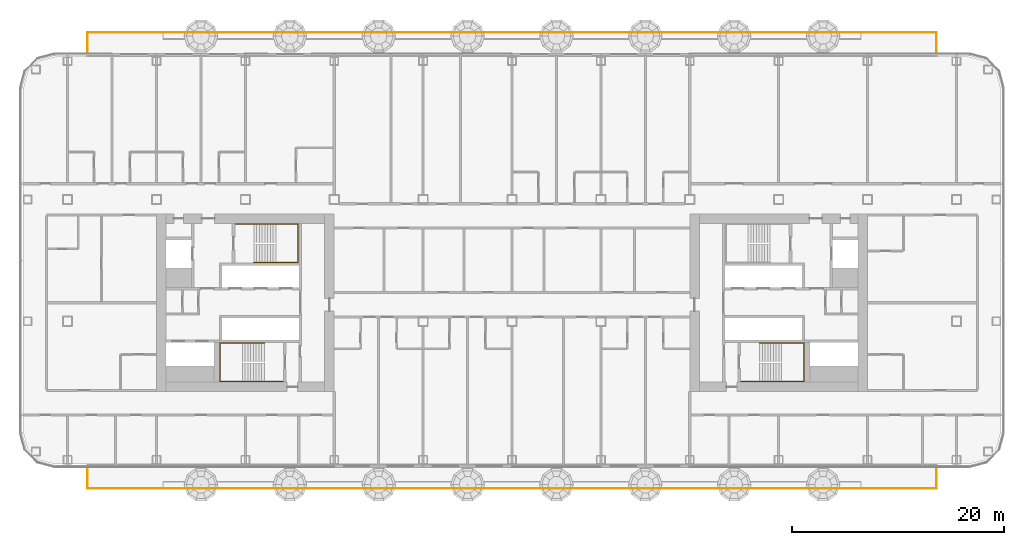
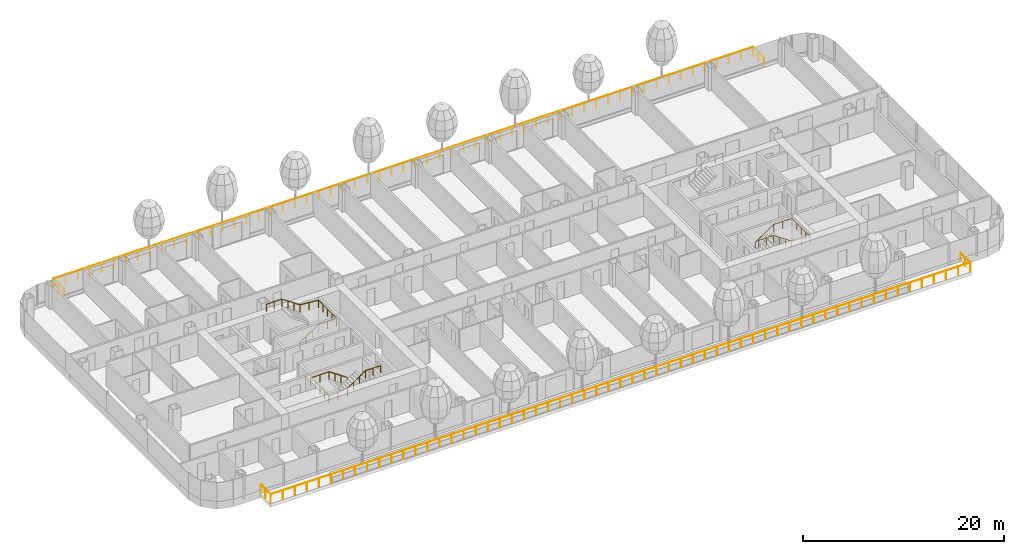
# One storey, part 28 of 34: 5 railings.
"""IFC4 building model written with IfcOpenShell, lengths in metres."""

from ifc_helpers import new_model, si_unit, direction, frame, origin, origin_2d, place, context, subcontext, project, spatial, circle, extrude, material, type_object, element, save


model = new_model("IFC4")

# Units and contexts
model_context = context("Model", 3, precision=1e-05, world=origin(), true_north=direction((0.0, 1.0)))
body_context = subcontext(model_context, "Body", "Model", "MODEL_VIEW")
ifc_project = project(units=[si_unit("LENGTHUNIT", "METRE"), si_unit("AREAUNIT", "SQUARE_METRE"), si_unit("VOLUMEUNIT", "CUBIC_METRE"), si_unit("PLANEANGLEUNIT", "RADIAN"), si_unit("MASSUNIT", "GRAM", prefix="KILO")], contexts=[model_context])

# Site, building, storey
site_placement = place(None, origin())
site = spatial("IfcSite", under=ifc_project, at=site_placement, CompositionType="ELEMENT")
building_placement = place(site_placement, origin())
building = spatial("IfcBuilding", under=site, at=building_placement, Name="Hakoniwa Tower and Hamabe Station Hall", CompositionType="ELEMENT")
storey_placement = place(building_placement, frame((0.0, 0.0, 94.60009765625)))
storey = spatial("IfcBuildingStorey", under=building, at=storey_placement, Name="L26", CompositionType="ELEMENT", Elevation=94.60009765625)

# Railings
ifc_material_1 = material(Name="Stainless steel and laminated glass", Category="steel")
railing_type_1 = type_object("IfcRailingType", Name="BALCONY BALUSTRADE 1100", PredefinedType="BALUSTRADE", material=ifc_material_1)
railing_1_placement = place(storey_placement, frame((-40.10009765625, 23.550048828125, 0.0)))
element("IfcRailing", 1, at=railing_1_placement, inside=storey, type_object=railing_type_1, Name="Balcony balustrade", PredefinedType="BALUSTRADE", context=body_context, shape_type="SweptSolid", body=[
    extrude(circle(Radius=0.02392578125, at=origin_2d()), frame((0.0, 0.0, 1.076171875), z_axis=(0.0, 1.0, 0.0), x_axis=(-1.0, 0.0, 0.0)), (0.0, 0.0, 1.0), 2.0),
    extrude(circle(Radius=0.02392578125, at=origin_2d()), frame((0.0, 2.0, 1.076171875), z_axis=(1.0, 0.0, 0.0), x_axis=(0.0, 1.0, 0.0)), (0.0, 0.0, 1.0), 80.2001953125),
    extrude(circle(Radius=0.02392578125, at=origin_2d()), frame((80.2001953125, 2.0, 1.076171875), z_axis=(0.0, -1.0, 0.0), x_axis=(1.0, 0.0, 0.0)), (0.0, 0.0, 1.0), 2.0),
    extrude(circle(Radius=0.02099609375, at=origin_2d()), origin(), (0.0, 0.0, 1.0), 1.052001953125),
    extrude(circle(Radius=0.02099609375, at=origin_2d()), frame((0.0, 1.0, 0.0)), (0.0, 0.0, 1.0), 1.052001953125),
    extrude(circle(Radius=0.02099609375, at=origin_2d()), frame((0.0, 2.0, 0.0)), (0.0, 0.0, 1.0), 1.052001953125),
    extrude(circle(Radius=0.02099609375, at=origin_2d()), frame((1.3828125, 2.0, 0.0)), (0.0, 0.0, 1.0), 1.052001953125),
    extrude(circle(Radius=0.02099609375, at=origin_2d()), frame((2.765625, 2.0, 0.0)), (0.0, 0.0, 1.0), 1.052001953125),
    extrude(circle(Radius=0.02099609375, at=origin_2d()), frame((4.148193359375, 2.0, 0.0)), (0.0, 0.0, 1.0), 1.052001953125),
    extrude(circle(Radius=0.02099609375, at=origin_2d()), frame((5.531005859375, 2.0, 0.0)), (0.0, 0.0, 1.0), 1.052001953125),
    extrude(circle(Radius=0.02099609375, at=origin_2d()), frame((6.913818359375, 2.0, 0.0)), (0.0, 0.0, 1.0), 1.052001953125),
    extrude(circle(Radius=0.02099609375, at=origin_2d()), frame((8.296630859375, 2.0, 0.0)), (0.0, 0.0, 1.0), 1.052001953125),
    extrude(circle(Radius=0.02099609375, at=origin_2d()), frame((9.679443359375, 2.0, 0.0)), (0.0, 0.0, 1.0), 1.052001953125),
    extrude(circle(Radius=0.02099609375, at=origin_2d()), frame((11.06201171875, 2.0, 0.0)), (0.0, 0.0, 1.0), 1.052001953125),
    extrude(circle(Radius=0.02099609375, at=origin_2d()), frame((12.44482421875, 2.0, 0.0)), (0.0, 0.0, 1.0), 1.052001953125),
    extrude(circle(Radius=0.02099609375, at=origin_2d()), frame((13.82763671875, 2.0, 0.0)), (0.0, 0.0, 1.0), 1.052001953125),
    extrude(circle(Radius=0.02099609375, at=origin_2d()), frame((15.21044921875, 2.0, 0.0)), (0.0, 0.0, 1.0), 1.052001953125),
    extrude(circle(Radius=0.02099609375, at=origin_2d()), frame((16.59326171875, 2.0, 0.0)), (0.0, 0.0, 1.0), 1.052001953125),
    extrude(circle(Radius=0.02099609375, at=origin_2d()), frame((17.975830078125, 2.0, 0.0)), (0.0, 0.0, 1.0), 1.052001953125),
    extrude(circle(Radius=0.02099609375, at=origin_2d()), frame((19.358642578125, 2.0, 0.0)), (0.0, 0.0, 1.0), 1.052001953125),
    extrude(circle(Radius=0.02099609375, at=origin_2d()), frame((20.741455078125, 2.0, 0.0)), (0.0, 0.0, 1.0), 1.052001953125),
    extrude(circle(Radius=0.02099609375, at=origin_2d()), frame((22.124267578125, 2.0, 0.0)), (0.0, 0.0, 1.0), 1.052001953125),
    extrude(circle(Radius=0.02099609375, at=origin_2d()), frame((23.5068359375, 2.0, 0.0)), (0.0, 0.0, 1.0), 1.052001953125),
    extrude(circle(Radius=0.02099609375, at=origin_2d()), frame((24.8896484375, 2.0, 0.0)), (0.0, 0.0, 1.0), 1.052001953125),
    extrude(circle(Radius=0.02099609375, at=origin_2d()), frame((26.2724609375, 2.0, 0.0)), (0.0, 0.0, 1.0), 1.052001953125),
    extrude(circle(Radius=0.02099609375, at=origin_2d()), frame((27.6552734375, 2.0, 0.0)), (0.0, 0.0, 1.0), 1.052001953125),
    extrude(circle(Radius=0.02099609375, at=origin_2d()), frame((29.0380859375, 2.0, 0.0)), (0.0, 0.0, 1.0), 1.052001953125),
    extrude(circle(Radius=0.02099609375, at=origin_2d()), frame((30.420654296875, 2.0, 0.0)), (0.0, 0.0, 1.0), 1.052001953125),
    extrude(circle(Radius=0.02099609375, at=origin_2d()), frame((31.803466796875, 2.0, 0.0)), (0.0, 0.0, 1.0), 1.052001953125),
    extrude(circle(Radius=0.02099609375, at=origin_2d()), frame((33.186279296875, 2.0, 0.0)), (0.0, 0.0, 1.0), 1.052001953125),
    extrude(circle(Radius=0.02099609375, at=origin_2d()), frame((34.569091796875, 2.0, 0.0)), (0.0, 0.0, 1.0), 1.052001953125),
    extrude(circle(Radius=0.02099609375, at=origin_2d()), frame((35.951904296875, 2.0, 0.0)), (0.0, 0.0, 1.0), 1.052001953125),
    extrude(circle(Radius=0.02099609375, at=origin_2d()), frame((37.33447265625, 2.0, 0.0)), (0.0, 0.0, 1.0), 1.052001953125),
    extrude(circle(Radius=0.02099609375, at=origin_2d()), frame((38.71728515625, 2.0, 0.0)), (0.0, 0.0, 1.0), 1.052001953125),
    extrude(circle(Radius=0.02099609375, at=origin_2d()), frame((40.10009765625, 2.0, 0.0)), (0.0, 0.0, 1.0), 1.052001953125),
    extrude(circle(Radius=0.02099609375, at=origin_2d()), frame((41.48291015625, 2.0, 0.0)), (0.0, 0.0, 1.0), 1.052001953125),
    extrude(circle(Radius=0.02099609375, at=origin_2d()), frame((42.86572265625, 2.0, 0.0)), (0.0, 0.0, 1.0), 1.052001953125),
    extrude(circle(Radius=0.02099609375, at=origin_2d()), frame((44.248291015625, 2.0, 0.0)), (0.0, 0.0, 1.0), 1.052001953125),
    extrude(circle(Radius=0.02099609375, at=origin_2d()), frame((45.631103515625, 2.0, 0.0)), (0.0, 0.0, 1.0), 1.052001953125),
    extrude(circle(Radius=0.02099609375, at=origin_2d()), frame((47.013916015625, 2.0, 0.0)), (0.0, 0.0, 1.0), 1.052001953125),
    extrude(circle(Radius=0.02099609375, at=origin_2d()), frame((48.396728515625, 2.0, 0.0)), (0.0, 0.0, 1.0), 1.052001953125),
    extrude(circle(Radius=0.02099609375, at=origin_2d()), frame((49.779541015625, 2.0, 0.0)), (0.0, 0.0, 1.0), 1.052001953125),
    extrude(circle(Radius=0.02099609375, at=origin_2d()), frame((51.162109375, 2.0, 0.0)), (0.0, 0.0, 1.0), 1.052001953125),
    extrude(circle(Radius=0.02099609375, at=origin_2d()), frame((52.544921875, 2.0, 0.0)), (0.0, 0.0, 1.0), 1.052001953125),
    extrude(circle(Radius=0.02099609375, at=origin_2d()), frame((53.927734375, 2.0, 0.0)), (0.0, 0.0, 1.0), 1.052001953125),
    extrude(circle(Radius=0.02099609375, at=origin_2d()), frame((55.310546875, 2.0, 0.0)), (0.0, 0.0, 1.0), 1.052001953125),
    extrude(circle(Radius=0.02099609375, at=origin_2d()), frame((56.693359375, 2.0, 0.0)), (0.0, 0.0, 1.0), 1.052001953125),
    extrude(circle(Radius=0.02099609375, at=origin_2d()), frame((58.075927734375, 2.0, 0.0)), (0.0, 0.0, 1.0), 1.052001953125),
    extrude(circle(Radius=0.02099609375, at=origin_2d()), frame((59.458740234375, 2.0, 0.0)), (0.0, 0.0, 1.0), 1.052001953125),
    extrude(circle(Radius=0.02099609375, at=origin_2d()), frame((60.841552734375, 2.0, 0.0)), (0.0, 0.0, 1.0), 1.052001953125),
    extrude(circle(Radius=0.02099609375, at=origin_2d()), frame((62.224365234375, 2.0, 0.0)), (0.0, 0.0, 1.0), 1.052001953125),
    extrude(circle(Radius=0.02099609375, at=origin_2d()), frame((63.60693359375, 2.0, 0.0)), (0.0, 0.0, 1.0), 1.052001953125),
    extrude(circle(Radius=0.02099609375, at=origin_2d()), frame((64.98974609375, 2.0, 0.0)), (0.0, 0.0, 1.0), 1.052001953125),
    extrude(circle(Radius=0.02099609375, at=origin_2d()), frame((66.37255859375, 2.0, 0.0)), (0.0, 0.0, 1.0), 1.052001953125),
    extrude(circle(Radius=0.02099609375, at=origin_2d()), frame((67.75537109375, 2.0, 0.0)), (0.0, 0.0, 1.0), 1.052001953125),
    extrude(circle(Radius=0.02099609375, at=origin_2d()), frame((69.13818359375, 2.0, 0.0)), (0.0, 0.0, 1.0), 1.052001953125),
    extrude(circle(Radius=0.02099609375, at=origin_2d()), frame((70.520751953125, 2.0, 0.0)), (0.0, 0.0, 1.0), 1.052001953125),
    extrude(circle(Radius=0.02099609375, at=origin_2d()), frame((71.903564453125, 2.0, 0.0)), (0.0, 0.0, 1.0), 1.052001953125),
    extrude(circle(Radius=0.02099609375, at=origin_2d()), frame((73.286376953125, 2.0, 0.0)), (0.0, 0.0, 1.0), 1.052001953125),
    extrude(circle(Radius=0.02099609375, at=origin_2d()), frame((74.669189453125, 2.0, 0.0)), (0.0, 0.0, 1.0), 1.052001953125),
    extrude(circle(Radius=0.02099609375, at=origin_2d()), frame((76.052001953125, 2.0, 0.0)), (0.0, 0.0, 1.0), 1.052001953125),
    extrude(circle(Radius=0.02099609375, at=origin_2d()), frame((77.4345703125, 2.0, 0.0)), (0.0, 0.0, 1.0), 1.052001953125),
    extrude(circle(Radius=0.02099609375, at=origin_2d()), frame((78.8173828125, 2.0, 0.0)), (0.0, 0.0, 1.0), 1.052001953125),
    extrude(circle(Radius=0.02099609375, at=origin_2d()), frame((80.2001953125, 2.0, 0.0)), (0.0, 0.0, 1.0), 1.052001953125),
    extrude(circle(Radius=0.02099609375, at=origin_2d()), frame((80.2001953125, 1.0, 0.0)), (0.0, 0.0, 1.0), 1.052001953125),
    extrude(circle(Radius=0.02099609375, at=origin_2d()), frame((80.2001953125, 0.0, 0.0)), (0.0, 0.0, 1.0), 1.052001953125),
])
railing_2_placement = place(storey_placement, frame((-40.10009765625, -15.550048828125, 0.0)))
element("IfcRailing", 2, at=railing_2_placement, inside=storey, type_object=railing_type_1, Name="Balcony balustrade", PredefinedType="BALUSTRADE", context=body_context, shape_type="SweptSolid", body=[
    extrude(circle(Radius=0.02392578125, at=origin_2d()), frame((0.0, 0.0, 1.076171875), z_axis=(0.0, -1.0, 0.0), x_axis=(1.0, 0.0, 0.0)), (0.0, 0.0, 1.0), 2.0),
    extrude(circle(Radius=0.02392578125, at=origin_2d()), frame((0.0, -2.0, 1.076171875), z_axis=(1.0, 0.0, 0.0), x_axis=(0.0, 1.0, 0.0)), (0.0, 0.0, 1.0), 80.2001953125),
    extrude(circle(Radius=0.02392578125, at=origin_2d()), frame((80.2001953125, -2.0, 1.076171875), z_axis=(0.0, 1.0, 0.0), x_axis=(-1.0, 0.0, 0.0)), (0.0, 0.0, 1.0), 2.0),
    extrude(circle(Radius=0.02099609375, at=origin_2d()), origin(), (0.0, 0.0, 1.0), 1.052001953125),
    extrude(circle(Radius=0.02099609375, at=origin_2d()), frame((0.0, -1.0, 0.0)), (0.0, 0.0, 1.0), 1.052001953125),
    extrude(circle(Radius=0.02099609375, at=origin_2d()), frame((0.0, -2.0, 0.0)), (0.0, 0.0, 1.0), 1.052001953125),
    extrude(circle(Radius=0.02099609375, at=origin_2d()), frame((1.3828125, -2.0, 0.0)), (0.0, 0.0, 1.0), 1.052001953125),
    extrude(circle(Radius=0.02099609375, at=origin_2d()), frame((2.765625, -2.0, 0.0)), (0.0, 0.0, 1.0), 1.052001953125),
    extrude(circle(Radius=0.02099609375, at=origin_2d()), frame((4.148193359375, -2.0, 0.0)), (0.0, 0.0, 1.0), 1.052001953125),
    extrude(circle(Radius=0.02099609375, at=origin_2d()), frame((5.531005859375, -2.0, 0.0)), (0.0, 0.0, 1.0), 1.052001953125),
    extrude(circle(Radius=0.02099609375, at=origin_2d()), frame((6.913818359375, -2.0, 0.0)), (0.0, 0.0, 1.0), 1.052001953125),
    extrude(circle(Radius=0.02099609375, at=origin_2d()), frame((8.296630859375, -2.0, 0.0)), (0.0, 0.0, 1.0), 1.052001953125),
    extrude(circle(Radius=0.02099609375, at=origin_2d()), frame((9.679443359375, -2.0, 0.0)), (0.0, 0.0, 1.0), 1.052001953125),
    extrude(circle(Radius=0.02099609375, at=origin_2d()), frame((11.06201171875, -2.0, 0.0)), (0.0, 0.0, 1.0), 1.052001953125),
    extrude(circle(Radius=0.02099609375, at=origin_2d()), frame((12.44482421875, -2.0, 0.0)), (0.0, 0.0, 1.0), 1.052001953125),
    extrude(circle(Radius=0.02099609375, at=origin_2d()), frame((13.82763671875, -2.0, 0.0)), (0.0, 0.0, 1.0), 1.052001953125),
    extrude(circle(Radius=0.02099609375, at=origin_2d()), frame((15.21044921875, -2.0, 0.0)), (0.0, 0.0, 1.0), 1.052001953125),
    extrude(circle(Radius=0.02099609375, at=origin_2d()), frame((16.59326171875, -2.0, 0.0)), (0.0, 0.0, 1.0), 1.052001953125),
    extrude(circle(Radius=0.02099609375, at=origin_2d()), frame((17.975830078125, -2.0, 0.0)), (0.0, 0.0, 1.0), 1.052001953125),
    extrude(circle(Radius=0.02099609375, at=origin_2d()), frame((19.358642578125, -2.0, 0.0)), (0.0, 0.0, 1.0), 1.052001953125),
    extrude(circle(Radius=0.02099609375, at=origin_2d()), frame((20.741455078125, -2.0, 0.0)), (0.0, 0.0, 1.0), 1.052001953125),
    extrude(circle(Radius=0.02099609375, at=origin_2d()), frame((22.124267578125, -2.0, 0.0)), (0.0, 0.0, 1.0), 1.052001953125),
    extrude(circle(Radius=0.02099609375, at=origin_2d()), frame((23.5068359375, -2.0, 0.0)), (0.0, 0.0, 1.0), 1.052001953125),
    extrude(circle(Radius=0.02099609375, at=origin_2d()), frame((24.8896484375, -2.0, 0.0)), (0.0, 0.0, 1.0), 1.052001953125),
    extrude(circle(Radius=0.02099609375, at=origin_2d()), frame((26.2724609375, -2.0, 0.0)), (0.0, 0.0, 1.0), 1.052001953125),
    extrude(circle(Radius=0.02099609375, at=origin_2d()), frame((27.6552734375, -2.0, 0.0)), (0.0, 0.0, 1.0), 1.052001953125),
    extrude(circle(Radius=0.02099609375, at=origin_2d()), frame((29.0380859375, -2.0, 0.0)), (0.0, 0.0, 1.0), 1.052001953125),
    extrude(circle(Radius=0.02099609375, at=origin_2d()), frame((30.420654296875, -2.0, 0.0)), (0.0, 0.0, 1.0), 1.052001953125),
    extrude(circle(Radius=0.02099609375, at=origin_2d()), frame((31.803466796875, -2.0, 0.0)), (0.0, 0.0, 1.0), 1.052001953125),
    extrude(circle(Radius=0.02099609375, at=origin_2d()), frame((33.186279296875, -2.0, 0.0)), (0.0, 0.0, 1.0), 1.052001953125),
    extrude(circle(Radius=0.02099609375, at=origin_2d()), frame((34.569091796875, -2.0, 0.0)), (0.0, 0.0, 1.0), 1.052001953125),
    extrude(circle(Radius=0.02099609375, at=origin_2d()), frame((35.951904296875, -2.0, 0.0)), (0.0, 0.0, 1.0), 1.052001953125),
    extrude(circle(Radius=0.02099609375, at=origin_2d()), frame((37.33447265625, -2.0, 0.0)), (0.0, 0.0, 1.0), 1.052001953125),
    extrude(circle(Radius=0.02099609375, at=origin_2d()), frame((38.71728515625, -2.0, 0.0)), (0.0, 0.0, 1.0), 1.052001953125),
    extrude(circle(Radius=0.02099609375, at=origin_2d()), frame((40.10009765625, -2.0, 0.0)), (0.0, 0.0, 1.0), 1.052001953125),
    extrude(circle(Radius=0.02099609375, at=origin_2d()), frame((41.48291015625, -2.0, 0.0)), (0.0, 0.0, 1.0), 1.052001953125),
    extrude(circle(Radius=0.02099609375, at=origin_2d()), frame((42.86572265625, -2.0, 0.0)), (0.0, 0.0, 1.0), 1.052001953125),
    extrude(circle(Radius=0.02099609375, at=origin_2d()), frame((44.248291015625, -2.0, 0.0)), (0.0, 0.0, 1.0), 1.052001953125),
    extrude(circle(Radius=0.02099609375, at=origin_2d()), frame((45.631103515625, -2.0, 0.0)), (0.0, 0.0, 1.0), 1.052001953125),
    extrude(circle(Radius=0.02099609375, at=origin_2d()), frame((47.013916015625, -2.0, 0.0)), (0.0, 0.0, 1.0), 1.052001953125),
    extrude(circle(Radius=0.02099609375, at=origin_2d()), frame((48.396728515625, -2.0, 0.0)), (0.0, 0.0, 1.0), 1.052001953125),
    extrude(circle(Radius=0.02099609375, at=origin_2d()), frame((49.779541015625, -2.0, 0.0)), (0.0, 0.0, 1.0), 1.052001953125),
    extrude(circle(Radius=0.02099609375, at=origin_2d()), frame((51.162109375, -2.0, 0.0)), (0.0, 0.0, 1.0), 1.052001953125),
    extrude(circle(Radius=0.02099609375, at=origin_2d()), frame((52.544921875, -2.0, 0.0)), (0.0, 0.0, 1.0), 1.052001953125),
    extrude(circle(Radius=0.02099609375, at=origin_2d()), frame((53.927734375, -2.0, 0.0)), (0.0, 0.0, 1.0), 1.052001953125),
    extrude(circle(Radius=0.02099609375, at=origin_2d()), frame((55.310546875, -2.0, 0.0)), (0.0, 0.0, 1.0), 1.052001953125),
    extrude(circle(Radius=0.02099609375, at=origin_2d()), frame((56.693359375, -2.0, 0.0)), (0.0, 0.0, 1.0), 1.052001953125),
    extrude(circle(Radius=0.02099609375, at=origin_2d()), frame((58.075927734375, -2.0, 0.0)), (0.0, 0.0, 1.0), 1.052001953125),
    extrude(circle(Radius=0.02099609375, at=origin_2d()), frame((59.458740234375, -2.0, 0.0)), (0.0, 0.0, 1.0), 1.052001953125),
    extrude(circle(Radius=0.02099609375, at=origin_2d()), frame((60.841552734375, -2.0, 0.0)), (0.0, 0.0, 1.0), 1.052001953125),
    extrude(circle(Radius=0.02099609375, at=origin_2d()), frame((62.224365234375, -2.0, 0.0)), (0.0, 0.0, 1.0), 1.052001953125),
    extrude(circle(Radius=0.02099609375, at=origin_2d()), frame((63.60693359375, -2.0, 0.0)), (0.0, 0.0, 1.0), 1.052001953125),
    extrude(circle(Radius=0.02099609375, at=origin_2d()), frame((64.98974609375, -2.0, 0.0)), (0.0, 0.0, 1.0), 1.052001953125),
    extrude(circle(Radius=0.02099609375, at=origin_2d()), frame((66.37255859375, -2.0, 0.0)), (0.0, 0.0, 1.0), 1.052001953125),
    extrude(circle(Radius=0.02099609375, at=origin_2d()), frame((67.75537109375, -2.0, 0.0)), (0.0, 0.0, 1.0), 1.052001953125),
    extrude(circle(Radius=0.02099609375, at=origin_2d()), frame((69.13818359375, -2.0, 0.0)), (0.0, 0.0, 1.0), 1.052001953125),
    extrude(circle(Radius=0.02099609375, at=origin_2d()), frame((70.520751953125, -2.0, 0.0)), (0.0, 0.0, 1.0), 1.052001953125),
    extrude(circle(Radius=0.02099609375, at=origin_2d()), frame((71.903564453125, -2.0, 0.0)), (0.0, 0.0, 1.0), 1.052001953125),
    extrude(circle(Radius=0.02099609375, at=origin_2d()), frame((73.286376953125, -2.0, 0.0)), (0.0, 0.0, 1.0), 1.052001953125),
    extrude(circle(Radius=0.02099609375, at=origin_2d()), frame((74.669189453125, -2.0, 0.0)), (0.0, 0.0, 1.0), 1.052001953125),
    extrude(circle(Radius=0.02099609375, at=origin_2d()), frame((76.052001953125, -2.0, 0.0)), (0.0, 0.0, 1.0), 1.052001953125),
    extrude(circle(Radius=0.02099609375, at=origin_2d()), frame((77.4345703125, -2.0, 0.0)), (0.0, 0.0, 1.0), 1.052001953125),
    extrude(circle(Radius=0.02099609375, at=origin_2d()), frame((78.8173828125, -2.0, 0.0)), (0.0, 0.0, 1.0), 1.052001953125),
    extrude(circle(Radius=0.02099609375, at=origin_2d()), frame((80.2001953125, -2.0, 0.0)), (0.0, 0.0, 1.0), 1.052001953125),
    extrude(circle(Radius=0.02099609375, at=origin_2d()), frame((80.2001953125, -1.0, 0.0)), (0.0, 0.0, 1.0), 1.052001953125),
    extrude(circle(Radius=0.02099609375, at=origin_2d()), frame((80.2001953125, 0.0, 0.0)), (0.0, 0.0, 1.0), 1.052001953125),
])
ifc_material_2 = material(Name="Stainless steel SUS304", Category="steel")
railing_type_2 = type_object("IfcRailingType", Name="STAIR HANDRAIL 900", PredefinedType="HANDRAIL", material=ifc_material_2)
railing_3_placement = place(storey_placement, frame((-24.39990234375, 3.81005859375, 0.177734375)))
element("IfcRailing", 3, at=railing_3_placement, inside=storey, type_object=railing_type_2, Name="Handrail ST-1 L26 1", PredefinedType="HANDRAIL", context=body_context, shape_type="SweptSolid", body=[
    extrude(circle(Radius=0.02392578125, at=origin_2d()), frame((0.0, 0.0, 0.8759765625), z_axis=(0.825478349766, 0.0, 0.564433781827), x_axis=(0.0, 1.0, 0.0)), (0.0, 0.0, 1.0), 2.51953125),
    extrude(circle(Radius=0.02392578125, at=origin_2d()), frame((2.079833984375, 0.0, 2.2978515625), z_axis=(1.0, 0.0, 0.0), x_axis=(0.0, 1.0, 0.0)), (0.0, 0.0, 1.0), 2.110107421875),
    extrude(circle(Radius=0.02392578125, at=origin_2d()), frame((4.18994140625, 0.0, 2.2978515625), z_axis=(0.0, 1.0, 0.0), x_axis=(-1.0, 0.0, 0.0)), (0.0, 0.0, 1.0), 3.6298828125),
    extrude(circle(Radius=0.02392578125, at=origin_2d()), frame((4.18994140625, 3.6298828125, 2.2978515625), z_axis=(-0.996471417081, 0.0, 0.083932800143), x_axis=(0.0, -1.0, 0.0)), (0.0, 0.0, 1.0), 2.11767578125),
    extrude(circle(Radius=0.02392578125, at=origin_2d()), frame((2.079833984375, 3.6298828125, 2.4755859375), z_axis=(-0.825433201882, 0.0, 0.564499804456), x_axis=(0.0, -1.0, 0.0)), (0.0, 0.0, 1.0), 2.519775390625),
    extrude(circle(Radius=0.02392578125, at=origin_2d()), frame((0.0, 3.6298828125, 3.89794921875), z_axis=(-1.0, 0.0, 0.0), x_axis=(0.0, -1.0, 0.0)), (0.0, 0.0, 1.0), 1.739990234375),
    extrude(circle(Radius=0.02099609375, at=origin_2d()), origin(), (0.0, 0.0, 1.0), 0.851806640625),
    extrude(circle(Radius=0.02099609375, at=origin_2d()), frame((0.693359375, 0.0, 0.47412109375)), (0.0, 0.0, 1.0), 0.851806640625),
    extrude(circle(Radius=0.02099609375, at=origin_2d()), frame((1.386474609375, 0.0, 0.947998046875)), (0.0, 0.0, 1.0), 0.851806640625),
    extrude(circle(Radius=0.02099609375, at=origin_2d()), frame((2.079833984375, 0.0, 1.422119140625)), (0.0, 0.0, 1.0), 0.851806640625),
    extrude(circle(Radius=0.02099609375, at=origin_2d()), frame((3.134765625, 0.0, 1.422119140625)), (0.0, 0.0, 1.0), 0.851806640625),
    extrude(circle(Radius=0.02099609375, at=origin_2d()), frame((4.18994140625, 0.0, 1.422119140625)), (0.0, 0.0, 1.0), 0.851806640625),
    extrude(circle(Radius=0.02099609375, at=origin_2d()), frame((4.18994140625, 0.907470703125, 1.422119140625)), (0.0, 0.0, 1.0), 0.851806640625),
    extrude(circle(Radius=0.02099609375, at=origin_2d()), frame((4.18994140625, 1.81494140625, 1.422119140625)), (0.0, 0.0, 1.0), 0.851806640625),
    extrude(circle(Radius=0.02099609375, at=origin_2d()), frame((4.18994140625, 2.722412109375, 1.422119140625)), (0.0, 0.0, 1.0), 0.851806640625),
    extrude(circle(Radius=0.02099609375, at=origin_2d()), frame((4.18994140625, 3.6298828125, 1.422119140625)), (0.0, 0.0, 1.0), 0.851806640625),
    extrude(circle(Radius=0.02099609375, at=origin_2d()), frame((3.134765625, 3.6298828125, 1.510986328125)), (0.0, 0.0, 1.0), 0.851806640625),
    extrude(circle(Radius=0.02099609375, at=origin_2d()), frame((2.079833984375, 3.6298828125, 1.599853515625)), (0.0, 0.0, 1.0), 0.851806640625),
    extrude(circle(Radius=0.02099609375, at=origin_2d()), frame((1.386474609375, 3.6298828125, 2.073974609375)), (0.0, 0.0, 1.0), 0.851806640625),
    extrude(circle(Radius=0.02099609375, at=origin_2d()), frame((0.693359375, 3.6298828125, 2.548095703125)), (0.0, 0.0, 1.0), 0.851806640625),
    extrude(circle(Radius=0.02099609375, at=origin_2d()), frame((0.0, 3.6298828125, 3.022216796875)), (0.0, 0.0, 1.0), 0.851806640625),
    extrude(circle(Radius=0.02099609375, at=origin_2d()), frame((-0.8701171875, 3.6298828125, 3.022216796875)), (0.0, 0.0, 1.0), 0.851806640625),
    extrude(circle(Radius=0.02099609375, at=origin_2d()), frame((-1.739990234375, 3.6298828125, 3.022216796875)), (0.0, 0.0, 1.0), 0.851806640625),
])
railing_4_placement = place(storey_placement, frame((-23.39990234375, -3.81005859375, 0.177734375)))
element("IfcRailing", 4, at=railing_4_placement, inside=storey, type_object=railing_type_2, Name="Handrail ST-2 L26 1", PredefinedType="HANDRAIL", context=body_context, shape_type="SweptSolid", body=[
    extrude(circle(Radius=0.02392578125, at=origin_2d()), frame((0.0, 0.0, 0.8759765625), z_axis=(-0.82550921652, 0.0, 0.564388636881), x_axis=(0.0, -1.0, 0.0)), (0.0, 0.0, 1.0), 2.519775390625),
    extrude(circle(Radius=0.02392578125, at=origin_2d()), frame((-2.080078125, 0.0, 2.2978515625), z_axis=(-1.0, 0.0, 0.0), x_axis=(0.0, -1.0, 0.0)), (0.0, 0.0, 1.0), 2.110107421875),
    extrude(circle(Radius=0.02392578125, at=origin_2d()), frame((-4.190185546875, 0.0, 2.2978515625), z_axis=(0.0, -1.0, 0.0), x_axis=(1.0, 0.0, 0.0)), (0.0, 0.0, 1.0), 3.6298828125),
    extrude(circle(Radius=0.02392578125, at=origin_2d()), frame((-4.190185546875, -3.6298828125, 2.2978515625), z_axis=(0.996471417081, 0.0, 0.083932800143), x_axis=(0.0, 1.0, 0.0)), (0.0, 0.0, 1.0), 2.11767578125),
    extrude(circle(Radius=0.02392578125, at=origin_2d()), frame((-2.080078125, -3.6298828125, 2.4755859375), z_axis=(0.825464074169, 0.0, 0.564454659168), x_axis=(0.0, 1.0, 0.0)), (0.0, 0.0, 1.0), 2.519775390625),
    extrude(circle(Radius=0.02392578125, at=origin_2d()), frame((0.0, -3.6298828125, 3.89794921875), z_axis=(1.0, 0.0, 0.0), x_axis=(0.0, 1.0, 0.0)), (0.0, 0.0, 1.0), 1.739990234375),
    extrude(circle(Radius=0.02099609375, at=origin_2d()), origin(), (0.0, 0.0, 1.0), 0.851806640625),
    extrude(circle(Radius=0.02099609375, at=origin_2d()), frame((-0.693359375, 0.0, 0.47412109375)), (0.0, 0.0, 1.0), 0.851806640625),
    extrude(circle(Radius=0.02099609375, at=origin_2d()), frame((-1.38671875, 0.0, 0.947998046875)), (0.0, 0.0, 1.0), 0.851806640625),
    extrude(circle(Radius=0.02099609375, at=origin_2d()), frame((-2.080078125, 0.0, 1.422119140625)), (0.0, 0.0, 1.0), 0.851806640625),
    extrude(circle(Radius=0.02099609375, at=origin_2d()), frame((-3.13525390625, 0.0, 1.422119140625)), (0.0, 0.0, 1.0), 0.851806640625),
    extrude(circle(Radius=0.02099609375, at=origin_2d()), frame((-4.190185546875, 0.0, 1.422119140625)), (0.0, 0.0, 1.0), 0.851806640625),
    extrude(circle(Radius=0.02099609375, at=origin_2d()), frame((-4.190185546875, -0.907470703125, 1.422119140625)), (0.0, 0.0, 1.0), 0.851806640625),
    extrude(circle(Radius=0.02099609375, at=origin_2d()), frame((-4.190185546875, -1.81494140625, 1.422119140625)), (0.0, 0.0, 1.0), 0.851806640625),
    extrude(circle(Radius=0.02099609375, at=origin_2d()), frame((-4.190185546875, -2.722412109375, 1.422119140625)), (0.0, 0.0, 1.0), 0.851806640625),
    extrude(circle(Radius=0.02099609375, at=origin_2d()), frame((-4.190185546875, -3.6298828125, 1.422119140625)), (0.0, 0.0, 1.0), 0.851806640625),
    extrude(circle(Radius=0.02099609375, at=origin_2d()), frame((-3.13525390625, -3.6298828125, 1.510986328125)), (0.0, 0.0, 1.0), 0.851806640625),
    extrude(circle(Radius=0.02099609375, at=origin_2d()), frame((-2.080078125, -3.6298828125, 1.599853515625)), (0.0, 0.0, 1.0), 0.851806640625),
    extrude(circle(Radius=0.02099609375, at=origin_2d()), frame((-1.38671875, -3.6298828125, 2.073974609375)), (0.0, 0.0, 1.0), 0.851806640625),
    extrude(circle(Radius=0.02099609375, at=origin_2d()), frame((-0.693359375, -3.6298828125, 2.548095703125)), (0.0, 0.0, 1.0), 0.851806640625),
    extrude(circle(Radius=0.02099609375, at=origin_2d()), frame((0.0, -3.6298828125, 3.022216796875)), (0.0, 0.0, 1.0), 0.851806640625),
    extrude(circle(Radius=0.02099609375, at=origin_2d()), frame((0.8701171875, -3.6298828125, 3.022216796875)), (0.0, 0.0, 1.0), 0.851806640625),
    extrude(circle(Radius=0.02099609375, at=origin_2d()), frame((1.739990234375, -3.6298828125, 3.022216796875)), (0.0, 0.0, 1.0), 0.851806640625),
])
railing_5_placement = place(storey_placement, frame((23.39990234375, -3.81005859375, 0.177734375)))
element("IfcRailing", 5, at=railing_5_placement, inside=storey, type_object=railing_type_2, Name="Handrail ST-4 L26 1", PredefinedType="HANDRAIL", context=body_context, shape_type="SweptSolid", body=[
    extrude(circle(Radius=0.02392578125, at=origin_2d()), frame((0.0, 0.0, 0.8759765625), z_axis=(0.82550921652, 0.0, 0.564388636881), x_axis=(0.0, 1.0, 0.0)), (0.0, 0.0, 1.0), 2.519775390625),
    extrude(circle(Radius=0.02392578125, at=origin_2d()), frame((2.080078125, 0.0, 2.2978515625), z_axis=(1.0, 0.0, 0.0), x_axis=(0.0, 1.0, 0.0)), (0.0, 0.0, 1.0), 2.110107421875),
    extrude(circle(Radius=0.02392578125, at=origin_2d()), frame((4.190185546875, 0.0, 2.2978515625), z_axis=(0.0, -1.0, 0.0), x_axis=(1.0, 0.0, 0.0)), (0.0, 0.0, 1.0), 3.6298828125),
    extrude(circle(Radius=0.02392578125, at=origin_2d()), frame((4.190185546875, -3.6298828125, 2.2978515625), z_axis=(-0.996471417081, 0.0, 0.083932800143), x_axis=(0.0, -1.0, 0.0)), (0.0, 0.0, 1.0), 2.11767578125),
    extrude(circle(Radius=0.02392578125, at=origin_2d()), frame((2.080078125, -3.6298828125, 2.4755859375), z_axis=(-0.825464074169, 0.0, 0.564454659168), x_axis=(0.0, -1.0, 0.0)), (0.0, 0.0, 1.0), 2.519775390625),
    extrude(circle(Radius=0.02392578125, at=origin_2d()), frame((0.0, -3.6298828125, 3.89794921875), z_axis=(-1.0, 0.0, 0.0), x_axis=(0.0, -1.0, 0.0)), (0.0, 0.0, 1.0), 1.739990234375),
    extrude(circle(Radius=0.02099609375, at=origin_2d()), origin(), (0.0, 0.0, 1.0), 0.851806640625),
    extrude(circle(Radius=0.02099609375, at=origin_2d()), frame((0.693359375, 0.0, 0.47412109375)), (0.0, 0.0, 1.0), 0.851806640625),
    extrude(circle(Radius=0.02099609375, at=origin_2d()), frame((1.38671875, 0.0, 0.947998046875)), (0.0, 0.0, 1.0), 0.851806640625),
    extrude(circle(Radius=0.02099609375, at=origin_2d()), frame((2.080078125, 0.0, 1.422119140625)), (0.0, 0.0, 1.0), 0.851806640625),
    extrude(circle(Radius=0.02099609375, at=origin_2d()), frame((3.13525390625, 0.0, 1.422119140625)), (0.0, 0.0, 1.0), 0.851806640625),
    extrude(circle(Radius=0.02099609375, at=origin_2d()), frame((4.190185546875, 0.0, 1.422119140625)), (0.0, 0.0, 1.0), 0.851806640625),
    extrude(circle(Radius=0.02099609375, at=origin_2d()), frame((4.190185546875, -0.907470703125, 1.422119140625)), (0.0, 0.0, 1.0), 0.851806640625),
    extrude(circle(Radius=0.02099609375, at=origin_2d()), frame((4.190185546875, -1.81494140625, 1.422119140625)), (0.0, 0.0, 1.0), 0.851806640625),
    extrude(circle(Radius=0.02099609375, at=origin_2d()), frame((4.190185546875, -2.722412109375, 1.422119140625)), (0.0, 0.0, 1.0), 0.851806640625),
    extrude(circle(Radius=0.02099609375, at=origin_2d()), frame((4.190185546875, -3.6298828125, 1.422119140625)), (0.0, 0.0, 1.0), 0.851806640625),
    extrude(circle(Radius=0.02099609375, at=origin_2d()), frame((3.13525390625, -3.6298828125, 1.510986328125)), (0.0, 0.0, 1.0), 0.851806640625),
    extrude(circle(Radius=0.02099609375, at=origin_2d()), frame((2.080078125, -3.6298828125, 1.599853515625)), (0.0, 0.0, 1.0), 0.851806640625),
    extrude(circle(Radius=0.02099609375, at=origin_2d()), frame((1.38671875, -3.6298828125, 2.073974609375)), (0.0, 0.0, 1.0), 0.851806640625),
    extrude(circle(Radius=0.02099609375, at=origin_2d()), frame((0.693359375, -3.6298828125, 2.548095703125)), (0.0, 0.0, 1.0), 0.851806640625),
    extrude(circle(Radius=0.02099609375, at=origin_2d()), frame((0.0, -3.6298828125, 3.022216796875)), (0.0, 0.0, 1.0), 0.851806640625),
    extrude(circle(Radius=0.02099609375, at=origin_2d()), frame((-0.8701171875, -3.6298828125, 3.022216796875)), (0.0, 0.0, 1.0), 0.851806640625),
    extrude(circle(Radius=0.02099609375, at=origin_2d()), frame((-1.739990234375, -3.6298828125, 3.022216796875)), (0.0, 0.0, 1.0), 0.851806640625),
])

save(model, "model.ifc")
